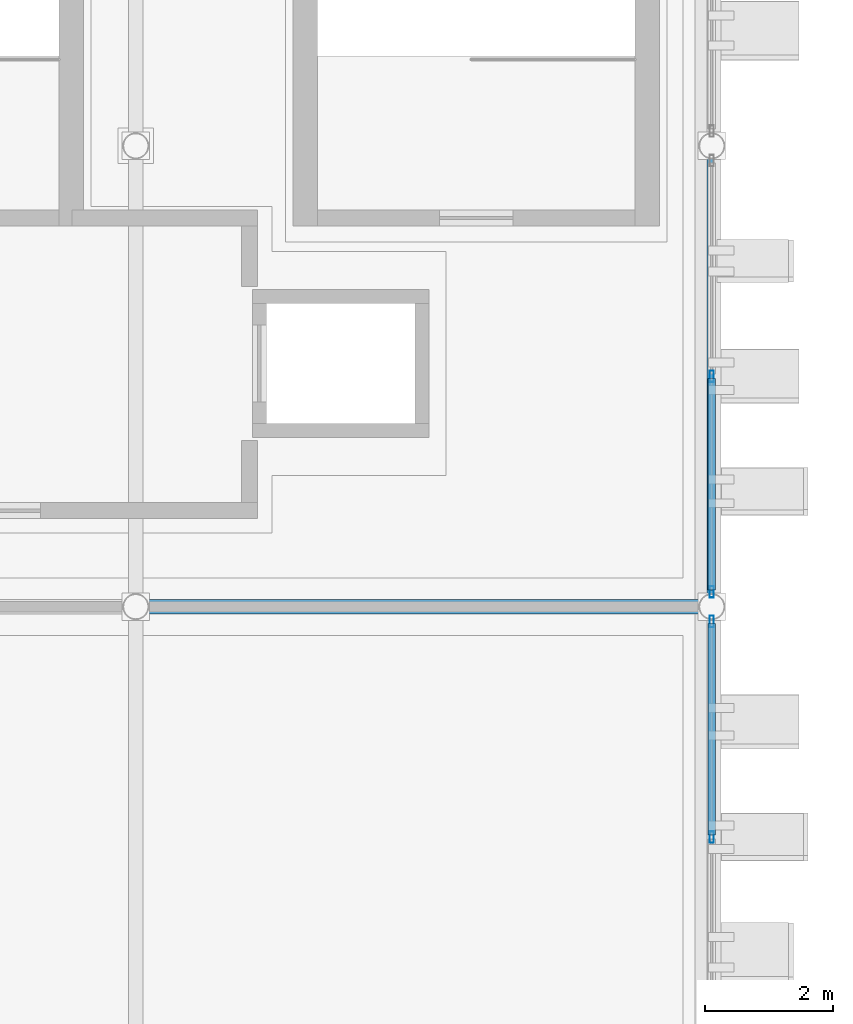
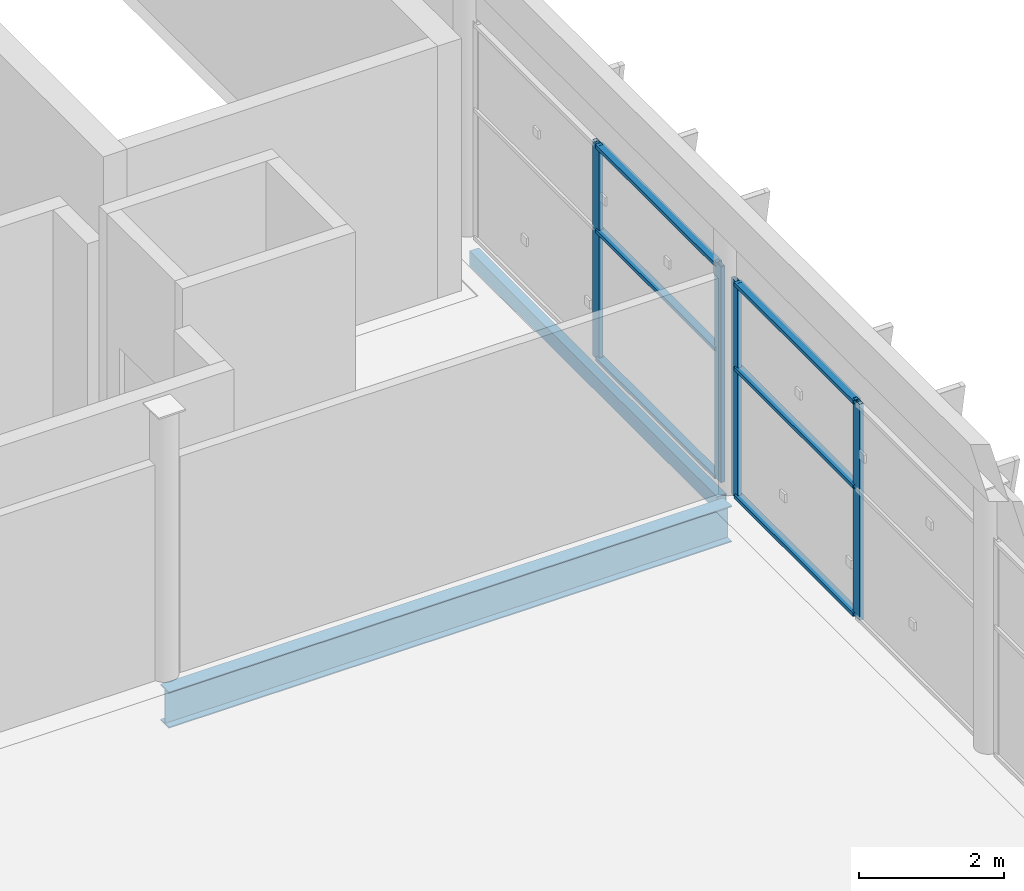
# One storey, part 30 of 52: 10 members, 2 beams, 2 elements without a shape of their own.
"""IFC4 building model written with IfcOpenShell, lengths in metres."""

from ifc_helpers import new_model, si_unit, direction, frame, origin, origin_2d, place, context, subcontext, project, spatial, hollow_rectangle, i_section, extrude, material, layer, layer_set, material_profile, profile_set, type_object, element, aggregate, save


model = new_model("IFC4")

# Units and contexts
model_context = context("Model", 3, precision=1e-05, world=origin(), true_north=direction((0.0, 1.0)))
body_context = subcontext(model_context, "Body", "Model", "MODEL_VIEW")
ifc_project = project(units=[si_unit("LENGTHUNIT", "METRE"), si_unit("AREAUNIT", "SQUARE_METRE"), si_unit("VOLUMEUNIT", "CUBIC_METRE"), si_unit("PLANEANGLEUNIT", "RADIAN"), si_unit("MASSUNIT", "GRAM", prefix="KILO")], contexts=[model_context])

# Site, building, storey
site_placement = place(None, origin())
site = spatial("IfcSite", under=ifc_project, at=site_placement, CompositionType="ELEMENT")
building_placement = place(site_placement, origin())
building = spatial("IfcBuilding", under=site, at=building_placement, Name="Celestram Park Convention Centre", CompositionType="ELEMENT")
storey_placement = place(building_placement, frame((0.0, 0.0, 24.300048828125)))
storey = spatial("IfcBuildingStorey", under=building, at=storey_placement, Name="L05", CompositionType="ELEMENT", Elevation=24.300048828125)

# Curtain wall, members
ifc_material_1 = material(Name="Anodised Aluminium Alloy 6063-T6", Category="aluminium")
ifc_layer = layer(ifc_material_1, 0.179931640625)
ifc_layer_set = layer_set([ifc_layer], Name="Anodised Aluminium Alloy 6063-T6")
curtain_wall_type = type_object("IfcCurtainWallType", Name="ARC-CW-680X365", PredefinedType="NOTDEFINED", material=ifc_layer_set)
curtain_wall_1_placement = place(storey_placement, origin())
curtain_wall_1 = element("IfcCurtainWall", 1, at=curtain_wall_1_placement, inside=storey, type_object=curtain_wall_type, Name="Unitised curtain wall CU-L05-253", PredefinedType="NOTDEFINED")
ifc_material_profile_1 = material_profile(ifc_material_1, hollow_rectangle(XDim=0.06494140625, YDim=0.179931640625, WallThickness=0.00390625, at=origin_2d()), Name="ALU65X180X4")
ifc_profile_set_1 = profile_set([ifc_material_profile_1], Name="Anodised Aluminium Alloy 6063-T6")
member_type_1 = type_object("IfcMemberType", Name="ARC-CWM-150", PredefinedType="MULLION", material=ifc_profile_set_1)
member_1_placement = place(storey_placement, frame((99.0, 147.60009765625, 0.0), z_axis=(0.0, 0.0, 1.0), x_axis=(1.0, 0.0, 0.0)))
member_1 = element("IfcMember", 2, at=member_1_placement, type_object=member_type_1, Name="CW-68X36 mullion 2", PredefinedType="MULLION", context=body_context, shape_type="SweptSolid", body=[
    extrude(hollow_rectangle(XDim=0.06494140625, YDim=0.179931640625, WallThickness=0.00390625, at=origin_2d()), origin(), (0.0, 0.0, 1.0), 3.64794921875),
])
member_2_placement = place(storey_placement, frame((99.0, 144.2314453125, 0.0), z_axis=(0.0, 0.0, 1.0), x_axis=(1.0, 0.0, 0.0)))
member_2 = element("IfcMember", 3, at=member_2_placement, type_object=member_type_1, Name="CW-68X36 mullion 3", PredefinedType="MULLION", context=body_context, shape_type="SweptSolid", body=[
    extrude(hollow_rectangle(XDim=0.06494140625, YDim=0.179931640625, WallThickness=0.00390625, at=origin_2d()), origin(), (0.0, 0.0, 1.0), 3.64794921875),
])

curtain_wall_2_placement = place(storey_placement, origin())
curtain_wall_2 = element("IfcCurtainWall", 4, at=curtain_wall_2_placement, inside=storey, type_object=curtain_wall_type, Name="Unitised curtain wall CU-L05-254", PredefinedType="NOTDEFINED")
member_3_placement = place(storey_placement, frame((99.0, 143.7685546875, 0.0), z_axis=(0.0, 0.0, 1.0), x_axis=(1.0, 0.0, 0.0)))
member_3 = element("IfcMember", 5, at=member_3_placement, type_object=member_type_1, Name="CW-68X36 mullion 1", PredefinedType="MULLION", context=body_context, shape_type="SweptSolid", body=[
    extrude(hollow_rectangle(XDim=0.06494140625, YDim=0.179931640625, WallThickness=0.00390625, at=origin_2d()), origin(), (0.0, 0.0, 1.0), 3.64794921875),
])
member_4_placement = place(storey_placement, frame((99.0, 140.39990234375, 0.0), z_axis=(0.0, 0.0, 1.0), x_axis=(1.0, 0.0, 0.0)))
member_4 = element("IfcMember", 6, at=member_4_placement, type_object=member_type_1, Name="CW-68X36 mullion 2", PredefinedType="MULLION", context=body_context, shape_type="SweptSolid", body=[
    extrude(hollow_rectangle(XDim=0.06494140625, YDim=0.179931640625, WallThickness=0.00390625, at=origin_2d()), origin(), (0.0, 0.0, 1.0), 3.64794921875),
])

# Member
ifc_material_profile_2 = material_profile(ifc_material_1, hollow_rectangle(XDim=0.1201171875, YDim=0.06005859375, WallThickness=0.0029296875, at=origin_2d()), Name="ALU120X60X3")
ifc_profile_set_2 = profile_set([ifc_material_profile_2], Name="Anodised Aluminium Alloy 6063-T6")
member_type_2 = type_object("IfcMemberType", Name="ARC-CWT-120", PredefinedType="USERDEFINED", material=ifc_profile_set_2)
member_5_placement = place(storey_placement, frame((99.0, 147.5673828125, 0.030029296875), z_axis=(0.0, -1.0, 0.0), x_axis=(1.0, 0.0, 0.0)))
member_5 = element("IfcMember", 7, at=member_5_placement, type_object=member_type_2, Name="CW-68X36 transom 2.1", ObjectType="TRANSOM", PredefinedType="USERDEFINED", context=body_context, shape_type="SweptSolid", body=[
    extrude(hollow_rectangle(XDim=0.1201171875, YDim=0.06005859375, WallThickness=0.0029296875, at=origin_2d()), origin(), (0.0, 0.0, 1.0), 3.303466796875),
])

member_6_placement = place(storey_placement, frame((99.0, 147.5673828125, 2.18896484375), z_axis=(0.0, -1.0, 0.0), x_axis=(1.0, 0.0, 0.0)))
member_6 = element("IfcMember", 8, at=member_6_placement, type_object=member_type_2, Name="CW-68X36 transom 2.2", ObjectType="TRANSOM", PredefinedType="USERDEFINED", context=body_context, shape_type="SweptSolid", body=[
    extrude(hollow_rectangle(XDim=0.1201171875, YDim=0.06005859375, WallThickness=0.0029296875, at=origin_2d()), origin(), (0.0, 0.0, 1.0), 3.303466796875),
])

member_7_placement = place(storey_placement, frame((99.0, 147.5673828125, 3.617919921875), z_axis=(0.0, -1.0, 0.0), x_axis=(1.0, 0.0, 0.0)))
member_7 = element("IfcMember", 9, at=member_7_placement, type_object=member_type_2, Name="CW-68X36 transom 2.3", ObjectType="TRANSOM", PredefinedType="USERDEFINED", context=body_context, shape_type="SweptSolid", body=[
    extrude(hollow_rectangle(XDim=0.1201171875, YDim=0.06005859375, WallThickness=0.0029296875, at=origin_2d()), origin(), (0.0, 0.0, 1.0), 3.303466796875),
])

aggregate(curtain_wall_1, [member_1, member_2, member_5, member_6, member_7])

member_8_placement = place(storey_placement, frame((99.0, 143.736083984375, 0.030029296875), z_axis=(0.0, -1.0, 0.0), x_axis=(1.0, 0.0, 0.0)))
member_8 = element("IfcMember", 10, at=member_8_placement, type_object=member_type_2, Name="CW-68X36 transom 1.1", ObjectType="TRANSOM", PredefinedType="USERDEFINED", context=body_context, shape_type="SweptSolid", body=[
    extrude(hollow_rectangle(XDim=0.1201171875, YDim=0.06005859375, WallThickness=0.0029296875, at=origin_2d()), origin(), (0.0, 0.0, 1.0), 3.303466796875),
])

member_9_placement = place(storey_placement, frame((99.0, 143.736083984375, 2.18896484375), z_axis=(0.0, -1.0, 0.0), x_axis=(1.0, 0.0, 0.0)))
member_9 = element("IfcMember", 11, at=member_9_placement, type_object=member_type_2, Name="CW-68X36 transom 1.2", ObjectType="TRANSOM", PredefinedType="USERDEFINED", context=body_context, shape_type="SweptSolid", body=[
    extrude(hollow_rectangle(XDim=0.1201171875, YDim=0.06005859375, WallThickness=0.0029296875, at=origin_2d()), origin(), (0.0, 0.0, 1.0), 3.303466796875),
])

member_10_placement = place(storey_placement, frame((99.0, 143.736083984375, 3.617919921875), z_axis=(0.0, -1.0, 0.0), x_axis=(1.0, 0.0, 0.0)))
member_10 = element("IfcMember", 12, at=member_10_placement, type_object=member_type_2, Name="CW-68X36 transom 1.3", ObjectType="TRANSOM", PredefinedType="USERDEFINED", context=body_context, shape_type="SweptSolid", body=[
    extrude(hollow_rectangle(XDim=0.1201171875, YDim=0.06005859375, WallThickness=0.0029296875, at=origin_2d()), origin(), (0.0, 0.0, 1.0), 3.303466796875),
])

aggregate(curtain_wall_2, [member_3, member_4, member_8, member_9, member_10])

# Beams
ifc_material_2 = material(Name="Steel ASTM A992 Grade 50", Category="steel")
ifc_material_profile_3 = material_profile(ifc_material_2, i_section(OverallWidth=0.22900390625, OverallDepth=0.612060546875, WebThickness=0.011962890625, FlangeThickness=0.01953125, at=origin_2d()), Name="W24X84")
ifc_profile_set_3 = profile_set([ifc_material_profile_3], Name="Steel ASTM A992 Grade 50")
beam_type_1 = type_object("IfcBeamType", Name="STR-BM-W24X84", PredefinedType="BEAM", material=ifc_profile_set_3)
beam_1_placement = place(storey_placement, frame((90.0048828125, 144.0, -0.546142578125), z_axis=(1.0, 0.0, 0.0), x_axis=(0.0, 1.0, 0.0)))
element("IfcBeam", 13, at=beam_1_placement, inside=storey, type_object=beam_type_1, Name="Primary X-girder BG-L05-0095", PredefinedType="BEAM", context=body_context, shape_type="SweptSolid", body=[
    extrude(i_section(OverallWidth=0.22900390625, OverallDepth=0.612060546875, WebThickness=0.011962890625, FlangeThickness=0.01953125, at=origin_2d()), origin(), (0.0, 0.0, 1.0), 8.990234375),
])
ifc_material_3 = material(Name="Steel ASTM A500 Grade C", Category="steel")
ifc_material_profile_4 = material_profile(ifc_material_3, hollow_rectangle(XDim=0.14990234375, YDim=0.25, WallThickness=0.010009765625, at=origin_2d()), Name="HSS250X150X10")
ifc_profile_set_4 = profile_set([ifc_material_profile_4], Name="Steel ASTM A500 Grade C")
beam_type_2 = type_object("IfcBeamType", Name="STR-SPN-HSS250X150", PredefinedType="SPANDREL", material=ifc_profile_set_4)
beam_2_placement = place(storey_placement, frame((99.0, 144.176025390625, -0.364990234375), z_axis=(0.0, 1.0, 0.0), x_axis=(-1.0, 0.0, 0.0)))
element("IfcBeam", 14, at=beam_2_placement, inside=storey, type_object=beam_type_2, Name="Primary Y-girder BG-L05-0106", PredefinedType="SPANDREL", context=body_context, shape_type="SweptSolid", body=[
    extrude(hollow_rectangle(XDim=0.14990234375, YDim=0.25, WallThickness=0.010009765625, at=origin_2d()), origin(), (0.0, 0.0, 1.0), 6.847900390625),
])

save(model, "model.ifc")
